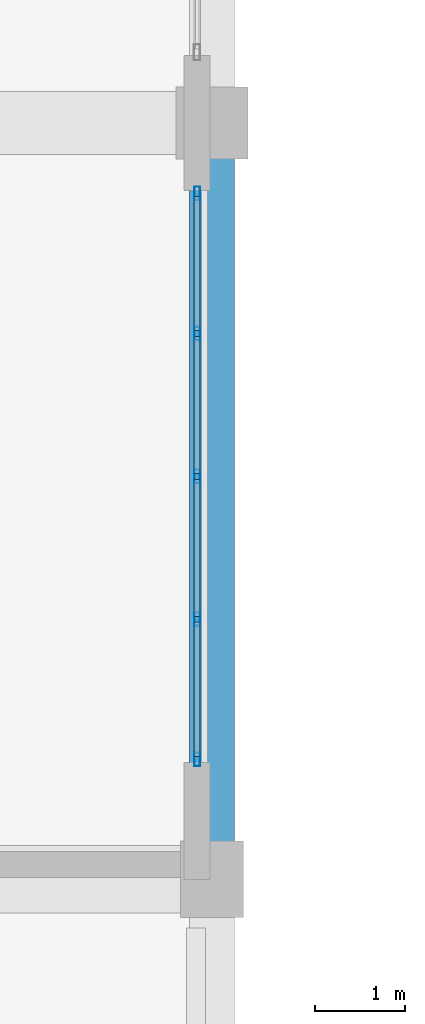
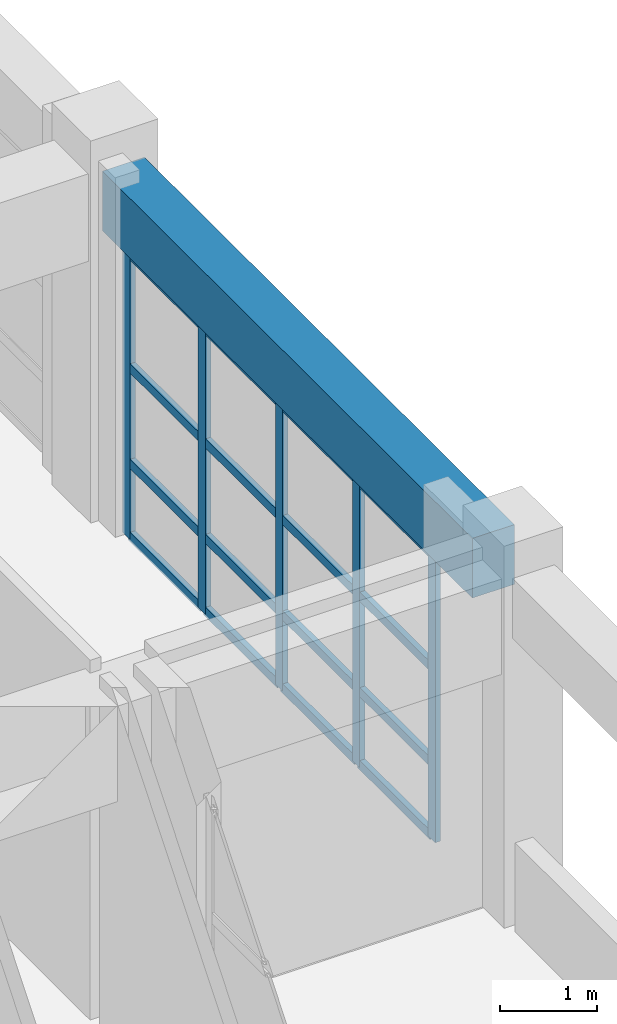
# One storey, part 22 of 123: 21 members, 1 beam, 1 element without a shape of its own.
"""IFC4 building model written with IfcOpenShell, lengths in metres."""

from ifc_helpers import new_model, si_unit, direction, frame, origin, origin_2d, place, context, subcontext, project, spatial, rectangle, hollow_rectangle, extrude, material, layer, layer_set, material_profile, profile_set, type_object, element, aggregate, save


model = new_model("IFC4")

# Units and contexts
model_context = context("Model", 3, precision=1e-05, world=origin(), true_north=direction((0.0, 1.0)))
body_context = subcontext(model_context, "Body", "Model", "MODEL_VIEW")
ifc_project = project(units=[si_unit("LENGTHUNIT", "METRE"), si_unit("AREAUNIT", "SQUARE_METRE"), si_unit("VOLUMEUNIT", "CUBIC_METRE"), si_unit("PLANEANGLEUNIT", "RADIAN"), si_unit("MASSUNIT", "GRAM", prefix="KILO")], contexts=[model_context])

# Site, building, storey
site_placement = place(None, origin())
site = spatial("IfcSite", under=ifc_project, at=site_placement, CompositionType="ELEMENT")
building_placement = place(site_placement, origin())
building = spatial("IfcBuilding", under=site, at=building_placement, Name="Quendrovan Civic Courthouse", CompositionType="ELEMENT")
storey_placement = place(building_placement, frame((0.0, 0.0, 5.39990234375)))
storey = spatial("IfcBuildingStorey", under=building, at=storey_placement, Name="L02", CompositionType="ELEMENT", Elevation=5.39990234375)

# Beam
ifc_material_1 = material(Name="Concrete C40/50", Category="concrete")
ifc_material_profile_1 = material_profile(ifc_material_1, rectangle(XDim=0.5, YDim=0.75, at=origin_2d()), Name="RC-BM-500x750")
ifc_profile_set_1 = profile_set([ifc_material_profile_1], Name="Concrete C40/50")
beam_type = type_object("IfcBeamType", Name="BM-RC750", PredefinedType="SPANDREL", material=ifc_profile_set_1)
beam_placement = place(storey_placement, frame((16.800048828125, 40.0048828125, 3.985107421875), z_axis=(0.0, 1.0, 0.0), x_axis=(-1.0, 0.0, 0.0)))
element("IfcBeam", 1, at=beam_placement, inside=storey, type_object=beam_type, Name="L02 Girder Y0627", PredefinedType="SPANDREL", context=body_context, shape_type="SweptSolid", body=[
    extrude(rectangle(XDim=0.5, YDim=0.75, at=origin_2d()), origin(), (0.0, 0.0, 1.0), 7.615234375),
])

# Curtain wall, members
ifc_material_2 = material(Name="Bronze anodised aluminium and low-E glass", Category="aluminium")
ifc_layer = layer(ifc_material_2, 0.179931640625, Name="Bronze anodised aluminium and low-E glass")
ifc_layer_set = layer_set([ifc_layer], Name="Bronze anodised aluminium and low-E glass")
curtain_wall_type = type_object("IfcCurtainWallType", Name="CW-U64x36", PredefinedType="USERDEFINED", material=ifc_layer_set)
curtain_wall_placement = place(storey_placement, origin())
curtain_wall = element("IfcCurtainWall", 2, at=curtain_wall_placement, inside=storey, type_object=curtain_wall_type, Name="L02 Unitised Hurricane Curtain Wall CW-075", ObjectType="UNITISED CURTAIN WALL", PredefinedType="USERDEFINED")
ifc_material_3 = material(Name="Bronze anodised aluminium", Category="aluminium")
ifc_material_profile_2 = material_profile(ifc_material_3, hollow_rectangle(XDim=0.06494140625, YDim=0.14990234375, WallThickness=0.00390625, at=origin_2d()), Name="CW-MULL-65x150")
ifc_profile_set_2 = profile_set([ifc_material_profile_2], Name="Bronze anodised aluminium")
member_type_1 = type_object("IfcMemberType", Name="CW-MULL-B", PredefinedType="MULLION", material=ifc_profile_set_2)
member_1_placement = place(storey_placement, frame((16.635009765625, 47.217529296875, 0.0), z_axis=(0.0, 0.0, 1.0), x_axis=(1.0, 0.0, 0.0)))
member_1 = element("IfcMember", 3, at=member_1_placement, type_object=member_type_1, Name="CW-075 mullion 1", PredefinedType="MULLION", context=body_context, shape_type="SweptSolid", body=[
    extrude(hollow_rectangle(XDim=0.06494140625, YDim=0.14990234375, WallThickness=0.00390625, at=origin_2d()), origin(), (0.0, 0.0, 1.0), 3.60009765625),
])
member_2_placement = place(storey_placement, frame((16.635009765625, 45.66259765625, 0.0), z_axis=(0.0, 0.0, 1.0), x_axis=(1.0, 0.0, 0.0)))
member_2 = element("IfcMember", 4, at=member_2_placement, type_object=member_type_1, Name="CW-075 mullion 2", PredefinedType="MULLION", context=body_context, shape_type="SweptSolid", body=[
    extrude(hollow_rectangle(XDim=0.06494140625, YDim=0.14990234375, WallThickness=0.00390625, at=origin_2d()), origin(), (0.0, 0.0, 1.0), 3.60009765625),
])
member_3_placement = place(storey_placement, frame((16.635009765625, 44.074951171875, 0.0), z_axis=(0.0, 0.0, 1.0), x_axis=(1.0, 0.0, 0.0)))
member_3 = element("IfcMember", 5, at=member_3_placement, type_object=member_type_1, Name="CW-075 mullion 3", PredefinedType="MULLION", context=body_context, shape_type="SweptSolid", body=[
    extrude(hollow_rectangle(XDim=0.06494140625, YDim=0.14990234375, WallThickness=0.00390625, at=origin_2d()), origin(), (0.0, 0.0, 1.0), 3.60009765625),
])
member_4_placement = place(storey_placement, frame((16.635009765625, 42.487548828125, 0.0), z_axis=(0.0, 0.0, 1.0), x_axis=(1.0, 0.0, 0.0)))
member_4 = element("IfcMember", 6, at=member_4_placement, type_object=member_type_1, Name="CW-075 mullion 4", PredefinedType="MULLION", context=body_context, shape_type="SweptSolid", body=[
    extrude(hollow_rectangle(XDim=0.06494140625, YDim=0.14990234375, WallThickness=0.00390625, at=origin_2d()), origin(), (0.0, 0.0, 1.0), 3.60009765625),
])
member_5_placement = place(storey_placement, frame((16.635009765625, 40.9326171875, 0.0), z_axis=(0.0, 0.0, 1.0), x_axis=(1.0, 0.0, 0.0)))
member_5 = element("IfcMember", 7, at=member_5_placement, type_object=member_type_1, Name="CW-075 mullion 5", PredefinedType="MULLION", context=body_context, shape_type="SweptSolid", body=[
    extrude(hollow_rectangle(XDim=0.06494140625, YDim=0.14990234375, WallThickness=0.00390625, at=origin_2d()), origin(), (0.0, 0.0, 1.0), 3.60009765625),
])
ifc_material_profile_3 = material_profile(ifc_material_3, hollow_rectangle(XDim=0.06494140625, YDim=0.114990234375, WallThickness=0.00390625, at=origin_2d()), Name="CW-TRAN-65x115")
ifc_profile_set_3 = profile_set([ifc_material_profile_3], Name="Bronze anodised aluminium")
member_type_2 = type_object("IfcMemberType", Name="CW-TRAN-B", PredefinedType="USERDEFINED", material=ifc_profile_set_3)
member_6_placement = place(storey_placement, frame((16.635009765625, 47.18505859375, 0.03271484375), z_axis=(0.0, -1.0, 0.0), x_axis=(1.0, 0.0, 0.0)))
member_6 = element("IfcMember", 8, at=member_6_placement, type_object=member_type_2, Name="CW-075 transom 1.1", ObjectType="TRANSOM", PredefinedType="USERDEFINED", context=body_context, shape_type="SweptSolid", body=[
    extrude(hollow_rectangle(XDim=0.06494140625, YDim=0.114990234375, WallThickness=0.00390625, at=origin_2d()), origin(), (0.0, 0.0, 1.0), 1.489990234375),
])
member_7_placement = place(storey_placement, frame((16.635009765625, 47.18505859375, 0.9501953125), z_axis=(0.0, -1.0, 0.0), x_axis=(1.0, 0.0, 0.0)))
member_7 = element("IfcMember", 9, at=member_7_placement, type_object=member_type_2, Name="CW-075 transom 1.2", ObjectType="TRANSOM", PredefinedType="USERDEFINED", context=body_context, shape_type="SweptSolid", body=[
    extrude(hollow_rectangle(XDim=0.06494140625, YDim=0.114990234375, WallThickness=0.00390625, at=origin_2d()), origin(), (0.0, 0.0, 1.0), 1.489990234375),
])
member_8_placement = place(storey_placement, frame((16.635009765625, 47.18505859375, 2.150146484375), z_axis=(0.0, -1.0, 0.0), x_axis=(1.0, 0.0, 0.0)))
member_8 = element("IfcMember", 10, at=member_8_placement, type_object=member_type_2, Name="CW-075 transom 1.3", ObjectType="TRANSOM", PredefinedType="USERDEFINED", context=body_context, shape_type="SweptSolid", body=[
    extrude(hollow_rectangle(XDim=0.06494140625, YDim=0.114990234375, WallThickness=0.00390625, at=origin_2d()), origin(), (0.0, 0.0, 1.0), 1.489990234375),
])
member_9_placement = place(storey_placement, frame((16.635009765625, 47.18505859375, 3.567626953125), z_axis=(0.0, -1.0, 0.0), x_axis=(1.0, 0.0, 0.0)))
member_9 = element("IfcMember", 11, at=member_9_placement, type_object=member_type_2, Name="CW-075 transom 1.4", ObjectType="TRANSOM", PredefinedType="USERDEFINED", context=body_context, shape_type="SweptSolid", body=[
    extrude(hollow_rectangle(XDim=0.06494140625, YDim=0.114990234375, WallThickness=0.00390625, at=origin_2d()), origin(), (0.0, 0.0, 1.0), 1.489990234375),
])
member_10_placement = place(storey_placement, frame((16.635009765625, 45.6298828125, 0.03271484375), z_axis=(0.0, -1.0, 0.0), x_axis=(1.0, 0.0, 0.0)))
member_10 = element("IfcMember", 12, at=member_10_placement, type_object=member_type_2, Name="CW-075 transom 2.1", ObjectType="TRANSOM", PredefinedType="USERDEFINED", context=body_context, shape_type="SweptSolid", body=[
    extrude(hollow_rectangle(XDim=0.06494140625, YDim=0.114990234375, WallThickness=0.00390625, at=origin_2d()), origin(), (0.0, 0.0, 1.0), 1.5224609375),
])
member_11_placement = place(storey_placement, frame((16.635009765625, 45.6298828125, 0.9501953125), z_axis=(0.0, -1.0, 0.0), x_axis=(1.0, 0.0, 0.0)))
member_11 = element("IfcMember", 13, at=member_11_placement, type_object=member_type_2, Name="CW-075 transom 2.2", ObjectType="TRANSOM", PredefinedType="USERDEFINED", context=body_context, shape_type="SweptSolid", body=[
    extrude(hollow_rectangle(XDim=0.06494140625, YDim=0.114990234375, WallThickness=0.00390625, at=origin_2d()), origin(), (0.0, 0.0, 1.0), 1.5224609375),
])
member_12_placement = place(storey_placement, frame((16.635009765625, 45.6298828125, 2.150146484375), z_axis=(0.0, -1.0, 0.0), x_axis=(1.0, 0.0, 0.0)))
member_12 = element("IfcMember", 14, at=member_12_placement, type_object=member_type_2, Name="CW-075 transom 2.3", ObjectType="TRANSOM", PredefinedType="USERDEFINED", context=body_context, shape_type="SweptSolid", body=[
    extrude(hollow_rectangle(XDim=0.06494140625, YDim=0.114990234375, WallThickness=0.00390625, at=origin_2d()), origin(), (0.0, 0.0, 1.0), 1.5224609375),
])
member_13_placement = place(storey_placement, frame((16.635009765625, 45.6298828125, 3.567626953125), z_axis=(0.0, -1.0, 0.0), x_axis=(1.0, 0.0, 0.0)))
member_13 = element("IfcMember", 15, at=member_13_placement, type_object=member_type_2, Name="CW-075 transom 2.4", ObjectType="TRANSOM", PredefinedType="USERDEFINED", context=body_context, shape_type="SweptSolid", body=[
    extrude(hollow_rectangle(XDim=0.06494140625, YDim=0.114990234375, WallThickness=0.00390625, at=origin_2d()), origin(), (0.0, 0.0, 1.0), 1.5224609375),
])
member_14_placement = place(storey_placement, frame((16.635009765625, 44.04248046875, 0.03271484375), z_axis=(0.0, -1.0, 0.0), x_axis=(1.0, 0.0, 0.0)))
member_14 = element("IfcMember", 16, at=member_14_placement, type_object=member_type_2, Name="CW-075 transom 3.1", ObjectType="TRANSOM", PredefinedType="USERDEFINED", context=body_context, shape_type="SweptSolid", body=[
    extrude(hollow_rectangle(XDim=0.06494140625, YDim=0.114990234375, WallThickness=0.00390625, at=origin_2d()), origin(), (0.0, 0.0, 1.0), 1.5224609375),
])
member_15_placement = place(storey_placement, frame((16.635009765625, 44.04248046875, 0.9501953125), z_axis=(0.0, -1.0, 0.0), x_axis=(1.0, 0.0, 0.0)))
member_15 = element("IfcMember", 17, at=member_15_placement, type_object=member_type_2, Name="CW-075 transom 3.2", ObjectType="TRANSOM", PredefinedType="USERDEFINED", context=body_context, shape_type="SweptSolid", body=[
    extrude(hollow_rectangle(XDim=0.06494140625, YDim=0.114990234375, WallThickness=0.00390625, at=origin_2d()), origin(), (0.0, 0.0, 1.0), 1.5224609375),
])
member_16_placement = place(storey_placement, frame((16.635009765625, 44.04248046875, 2.150146484375), z_axis=(0.0, -1.0, 0.0), x_axis=(1.0, 0.0, 0.0)))
member_16 = element("IfcMember", 18, at=member_16_placement, type_object=member_type_2, Name="CW-075 transom 3.3", ObjectType="TRANSOM", PredefinedType="USERDEFINED", context=body_context, shape_type="SweptSolid", body=[
    extrude(hollow_rectangle(XDim=0.06494140625, YDim=0.114990234375, WallThickness=0.00390625, at=origin_2d()), origin(), (0.0, 0.0, 1.0), 1.5224609375),
])
member_17_placement = place(storey_placement, frame((16.635009765625, 44.04248046875, 3.567626953125), z_axis=(0.0, -1.0, 0.0), x_axis=(1.0, 0.0, 0.0)))
member_17 = element("IfcMember", 19, at=member_17_placement, type_object=member_type_2, Name="CW-075 transom 3.4", ObjectType="TRANSOM", PredefinedType="USERDEFINED", context=body_context, shape_type="SweptSolid", body=[
    extrude(hollow_rectangle(XDim=0.06494140625, YDim=0.114990234375, WallThickness=0.00390625, at=origin_2d()), origin(), (0.0, 0.0, 1.0), 1.5224609375),
])
member_18_placement = place(storey_placement, frame((16.635009765625, 42.455078125, 0.03271484375), z_axis=(0.0, -1.0, 0.0), x_axis=(1.0, 0.0, 0.0)))
member_18 = element("IfcMember", 20, at=member_18_placement, type_object=member_type_2, Name="CW-075 transom 4.1", ObjectType="TRANSOM", PredefinedType="USERDEFINED", context=body_context, shape_type="SweptSolid", body=[
    extrude(hollow_rectangle(XDim=0.06494140625, YDim=0.114990234375, WallThickness=0.00390625, at=origin_2d()), origin(), (0.0, 0.0, 1.0), 1.489990234375),
])
member_19_placement = place(storey_placement, frame((16.635009765625, 42.455078125, 0.9501953125), z_axis=(0.0, -1.0, 0.0), x_axis=(1.0, 0.0, 0.0)))
member_19 = element("IfcMember", 21, at=member_19_placement, type_object=member_type_2, Name="CW-075 transom 4.2", ObjectType="TRANSOM", PredefinedType="USERDEFINED", context=body_context, shape_type="SweptSolid", body=[
    extrude(hollow_rectangle(XDim=0.06494140625, YDim=0.114990234375, WallThickness=0.00390625, at=origin_2d()), origin(), (0.0, 0.0, 1.0), 1.489990234375),
])
member_20_placement = place(storey_placement, frame((16.635009765625, 42.455078125, 2.150146484375), z_axis=(0.0, -1.0, 0.0), x_axis=(1.0, 0.0, 0.0)))
member_20 = element("IfcMember", 22, at=member_20_placement, type_object=member_type_2, Name="CW-075 transom 4.3", ObjectType="TRANSOM", PredefinedType="USERDEFINED", context=body_context, shape_type="SweptSolid", body=[
    extrude(hollow_rectangle(XDim=0.06494140625, YDim=0.114990234375, WallThickness=0.00390625, at=origin_2d()), origin(), (0.0, 0.0, 1.0), 1.489990234375),
])
member_21_placement = place(storey_placement, frame((16.635009765625, 42.455078125, 3.567626953125), z_axis=(0.0, -1.0, 0.0), x_axis=(1.0, 0.0, 0.0)))
member_21 = element("IfcMember", 23, at=member_21_placement, type_object=member_type_2, Name="CW-075 transom 4.4", ObjectType="TRANSOM", PredefinedType="USERDEFINED", context=body_context, shape_type="SweptSolid", body=[
    extrude(hollow_rectangle(XDim=0.06494140625, YDim=0.114990234375, WallThickness=0.00390625, at=origin_2d()), origin(), (0.0, 0.0, 1.0), 1.489990234375),
])
aggregate(curtain_wall, [member_1, member_2, member_3, member_4, member_5, member_6, member_7, member_8, member_9, member_10, member_11, member_12, member_13, member_14, member_15, member_16, member_17, member_18, member_19, member_20, member_21])

save(model, "model.ifc")
